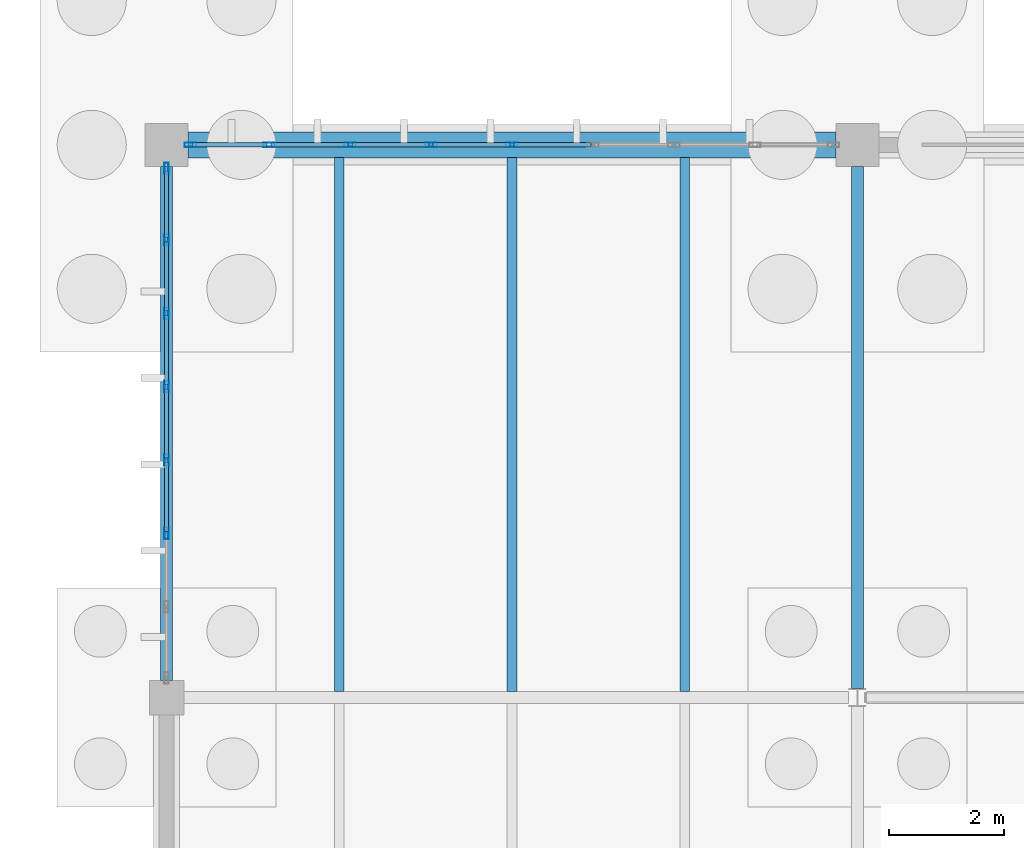
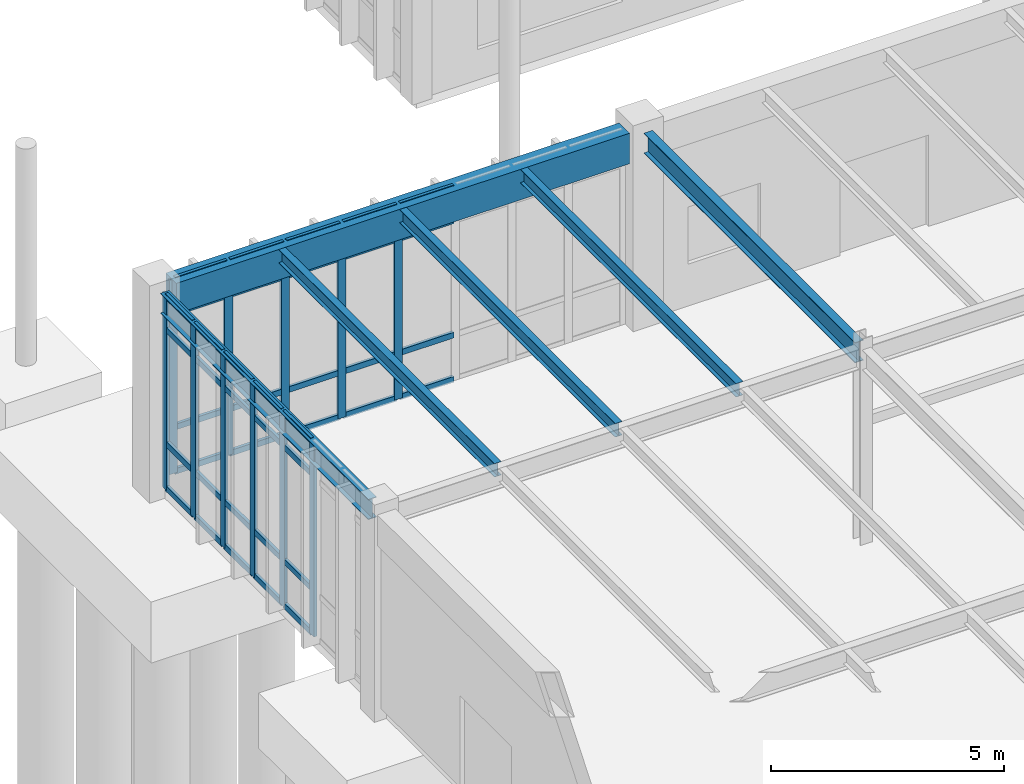
# One storey, part 72 of 188: 51 members, 6 beams, 2 elements without a shape of their own.
"""IFC4 building model written with IfcOpenShell, lengths in metres."""

from ifc_helpers import new_model, si_unit, direction, frame, origin, origin_2d, place, context, subcontext, project, spatial, rectangle, hollow_rectangle, i_section, extrude, material, layer, layer_set, material_profile, profile_set, type_object, element, aggregate, save


model = new_model("IFC4")

# Units and contexts
model_context = context("Model", 3, precision=1e-05, world=origin(), true_north=direction((0.0, 1.0)))
body_context = subcontext(model_context, "Body", "Model", "MODEL_VIEW")
ifc_project = project(units=[si_unit("LENGTHUNIT", "METRE"), si_unit("AREAUNIT", "SQUARE_METRE"), si_unit("VOLUMEUNIT", "CUBIC_METRE"), si_unit("PLANEANGLEUNIT", "RADIAN"), si_unit("MASSUNIT", "GRAM", prefix="KILO")], contexts=[model_context])

# Site, building, storey
site_placement = place(None, origin())
site = spatial("IfcSite", under=ifc_project, at=site_placement, CompositionType="ELEMENT")
building_placement = place(site_placement, origin())
building = spatial("IfcBuilding", under=site, at=building_placement, Name="Pandanus Reach Market Hall", CompositionType="ELEMENT")
storey_placement = place(building_placement, origin())
storey = spatial("IfcBuildingStorey", under=building, at=storey_placement, Name="L00", CompositionType="ELEMENT", Elevation=0.0)

# Beams
ifc_material_1 = material(Name="Concrete N40 (40 MPa)", Category="concrete")
ifc_material_profile_1 = material_profile(ifc_material_1, rectangle(XDim=0.449951171875, YDim=0.800048828125, at=origin_2d()), Name="RC450x800", Category="LoadBearing")
ifc_profile_set_1 = profile_set([ifc_material_profile_1], Name="Concrete N40 (40 MPa)")
beam_type_1 = type_object("IfcBeamType", Name="BM-RC450-E", PredefinedType="SPANDREL", material=ifc_profile_set_1)
beam_1_placement = place(storey_placement, frame((48.373046875, 86.39990234375, 4.719970703125), z_axis=(1.0, 0.0, 0.0), x_axis=(0.0, 1.0, 0.0)))
element("IfcBeam", 1, at=beam_1_placement, inside=storey, type_object=beam_type_1, Name="Framing beam BM-RC450-E L00.1059", PredefinedType="SPANDREL", context=body_context, shape_type="SweptSolid", body=[
    extrude(rectangle(XDim=0.449951171875, YDim=0.800048828125, at=origin_2d()), origin(), (0.0, 0.0, 1.0), 11.25390625),
])
ifc_material_2 = material(Name="Steel Grade 350 (350 MPa)", Category="steel")
ifc_material_profile_2 = material_profile(ifc_material_2, i_section(OverallWidth=0.208984375, OverallDepth=0.532958984375, WebThickness=0.01025390625, FlangeThickness=0.015625, at=origin_2d()), Name="530UB92.4", Category="LoadBearing")
ifc_profile_set_2 = profile_set([ifc_material_profile_2], Name="Steel Grade 350 (350 MPa)")
beam_type_2 = type_object("IfcBeamType", Name="BM-UB530-I", PredefinedType="BEAM", material=ifc_profile_set_2)
beam_2_placement = place(storey_placement, frame((48.0, 77.097900390625, 4.85302734375), z_axis=(0.0, 1.0, 0.0), x_axis=(-1.0, 0.0, 0.0)))
element("IfcBeam", 2, at=beam_2_placement, inside=storey, type_object=beam_type_2, Name="Framing beam BM-UB530-I L00.1067", PredefinedType="BEAM", context=body_context, shape_type="SweptSolid", body=[
    extrude(i_section(OverallWidth=0.208984375, OverallDepth=0.532958984375, WebThickness=0.01025390625, FlangeThickness=0.015625, at=origin_2d()), origin(), (0.0, 0.0, 1.0), 8.92919921875),
])
beam_3_placement = place(storey_placement, frame((60.0, 76.95556640625, 4.85302734375), z_axis=(0.0, 1.0, 0.0), x_axis=(-1.0, 0.0, 0.0)))
element("IfcBeam", 3, at=beam_3_placement, inside=storey, type_object=beam_type_2, Name="Framing beam BM-UB530-I L00.1069", PredefinedType="BEAM", context=body_context, shape_type="SweptSolid", body=[
    extrude(i_section(OverallWidth=0.208984375, OverallDepth=0.532958984375, WebThickness=0.01025390625, FlangeThickness=0.015625, at=origin_2d()), origin(), (0.0, 0.0, 1.0), 9.071533203125),
])

# Curtain wall, members
ifc_material_3 = material(Name="Bronze anodised aluminium and low-E glass", Category="aluminium")
ifc_layer_1 = layer(ifc_material_3, 0.199951171875, Name="CW-01")
ifc_layer_set_1 = layer_set([ifc_layer_1], Name="Bronze anodised aluminium and low-E glass")
curtain_wall_type_1 = type_object("IfcCurtainWallType", Name="CW-01", PredefinedType="NOTDEFINED", material=ifc_layer_set_1)
curtain_wall_1_placement = place(storey_placement, origin())
curtain_wall_1 = element("IfcCurtainWall", 4, at=curtain_wall_1_placement, inside=storey, type_object=curtain_wall_type_1, Name="Glazed curtain wall CW-01 CW-0009", PredefinedType="NOTDEFINED")
ifc_material_4 = material(Name="Bronze anodised aluminium", Category="aluminium")
ifc_material_profile_3 = material_profile(ifc_material_4, hollow_rectangle(XDim=0.074951171875, YDim=0.199951171875, WallThickness=0.00439453125, at=origin_2d()), Name="ALU75x200", Category="LoadBearing")
ifc_profile_set_3 = profile_set([ifc_material_profile_3], Name="Bronze anodised aluminium")
member_type_1 = type_object("IfcMemberType", Name="CW-M2", PredefinedType="MULLION", material=ifc_profile_set_3)
member_1_placement = place(storey_placement, frame((48.41259765625, 86.39990234375, 0.0), z_axis=(0.0, 0.0, 1.0), x_axis=(0.0, 1.0, 0.0)))
member_1 = element("IfcMember", 5, at=member_1_placement, type_object=member_type_1, Name="CW-01 mullion 1", PredefinedType="MULLION", context=body_context, shape_type="SweptSolid", body=[
    extrude(hollow_rectangle(XDim=0.074951171875, YDim=0.199951171875, WallThickness=0.00439453125, at=origin_2d()), origin(), (0.0, 0.0, 1.0), 5.10009765625),
])
member_2_placement = place(storey_placement, frame((49.78125, 86.39990234375, 0.0), z_axis=(0.0, 0.0, 1.0), x_axis=(0.0, 1.0, 0.0)))
member_2 = element("IfcMember", 6, at=member_2_placement, type_object=member_type_1, Name="CW-01 mullion 2", PredefinedType="MULLION", context=body_context, shape_type="SweptSolid", body=[
    extrude(hollow_rectangle(XDim=0.074951171875, YDim=0.199951171875, WallThickness=0.00439453125, at=origin_2d()), origin(), (0.0, 0.0, 1.0), 5.10009765625),
])
member_3_placement = place(storey_placement, frame((51.1875, 86.39990234375, 0.0), z_axis=(0.0, 0.0, 1.0), x_axis=(0.0, 1.0, 0.0)))
member_3 = element("IfcMember", 7, at=member_3_placement, type_object=member_type_1, Name="CW-01 mullion 3", PredefinedType="MULLION", context=body_context, shape_type="SweptSolid", body=[
    extrude(hollow_rectangle(XDim=0.074951171875, YDim=0.199951171875, WallThickness=0.00439453125, at=origin_2d()), origin(), (0.0, 0.0, 1.0), 5.10009765625),
])
member_4_placement = place(storey_placement, frame((52.59375, 86.39990234375, 0.0), z_axis=(0.0, 0.0, 1.0), x_axis=(0.0, 1.0, 0.0)))
member_4 = element("IfcMember", 8, at=member_4_placement, type_object=member_type_1, Name="CW-01 mullion 4", PredefinedType="MULLION", context=body_context, shape_type="SweptSolid", body=[
    extrude(hollow_rectangle(XDim=0.074951171875, YDim=0.199951171875, WallThickness=0.00439453125, at=origin_2d()), origin(), (0.0, 0.0, 1.0), 5.10009765625),
])
member_5_placement = place(storey_placement, frame((54.0, 86.39990234375, 0.0), z_axis=(0.0, 0.0, 1.0), x_axis=(0.0, 1.0, 0.0)))
member_5 = element("IfcMember", 9, at=member_5_placement, type_object=member_type_1, Name="CW-01 mullion 5", PredefinedType="MULLION", context=body_context, shape_type="SweptSolid", body=[
    extrude(hollow_rectangle(XDim=0.074951171875, YDim=0.199951171875, WallThickness=0.00439453125, at=origin_2d()), origin(), (0.0, 0.0, 1.0), 5.10009765625),
])

ifc_layer_2 = layer(ifc_material_3, 0.199951171875, Name="CW-03")
ifc_layer_set_2 = layer_set([ifc_layer_2], Name="Bronze anodised aluminium and low-E glass")
curtain_wall_type_2 = type_object("IfcCurtainWallType", Name="CW-03", PredefinedType="NOTDEFINED", material=ifc_layer_set_2)
curtain_wall_2_placement = place(storey_placement, origin())
curtain_wall_2 = element("IfcCurtainWall", 10, at=curtain_wall_2_placement, inside=storey, type_object=curtain_wall_type_2, Name="Glazed curtain wall CW-03 CW-0034", PredefinedType="NOTDEFINED")
member_6_placement = place(storey_placement, frame((48.0, 79.64990234375, 0.0), z_axis=(0.0, 0.0, 1.0), x_axis=(-1.0, 0.0, 0.0)))
member_6 = element("IfcMember", 11, at=member_6_placement, type_object=member_type_1, Name="CW-03 mullion 3", PredefinedType="MULLION", context=body_context, shape_type="SweptSolid", body=[
    extrude(hollow_rectangle(XDim=0.074951171875, YDim=0.199951171875, WallThickness=0.00439453125, at=origin_2d()), origin(), (0.0, 0.0, 1.0), 5.10009765625),
])
member_7_placement = place(storey_placement, frame((48.0, 80.925048828125, 0.0), z_axis=(0.0, 0.0, 1.0), x_axis=(-1.0, 0.0, 0.0)))
member_7 = element("IfcMember", 12, at=member_7_placement, type_object=member_type_1, Name="CW-03 mullion 4", PredefinedType="MULLION", context=body_context, shape_type="SweptSolid", body=[
    extrude(hollow_rectangle(XDim=0.074951171875, YDim=0.199951171875, WallThickness=0.00439453125, at=origin_2d()), origin(), (0.0, 0.0, 1.0), 5.10009765625),
])
member_8_placement = place(storey_placement, frame((48.0, 82.199951171875, 0.0), z_axis=(0.0, 0.0, 1.0), x_axis=(-1.0, 0.0, 0.0)))
member_8 = element("IfcMember", 13, at=member_8_placement, type_object=member_type_1, Name="CW-03 mullion 5", PredefinedType="MULLION", context=body_context, shape_type="SweptSolid", body=[
    extrude(hollow_rectangle(XDim=0.074951171875, YDim=0.199951171875, WallThickness=0.00439453125, at=origin_2d()), origin(), (0.0, 0.0, 1.0), 5.10009765625),
])
member_9_placement = place(storey_placement, frame((48.0, 83.47509765625, 0.0), z_axis=(0.0, 0.0, 1.0), x_axis=(-1.0, 0.0, 0.0)))
member_9 = element("IfcMember", 14, at=member_9_placement, type_object=member_type_1, Name="CW-03 mullion 6", PredefinedType="MULLION", context=body_context, shape_type="SweptSolid", body=[
    extrude(hollow_rectangle(XDim=0.074951171875, YDim=0.199951171875, WallThickness=0.00439453125, at=origin_2d()), origin(), (0.0, 0.0, 1.0), 5.10009765625),
])
member_10_placement = place(storey_placement, frame((48.0, 84.75, 0.0), z_axis=(0.0, 0.0, 1.0), x_axis=(-1.0, 0.0, 0.0)))
member_10 = element("IfcMember", 15, at=member_10_placement, type_object=member_type_1, Name="CW-03 mullion 7", PredefinedType="MULLION", context=body_context, shape_type="SweptSolid", body=[
    extrude(hollow_rectangle(XDim=0.074951171875, YDim=0.199951171875, WallThickness=0.00439453125, at=origin_2d()), origin(), (0.0, 0.0, 1.0), 5.10009765625),
])
member_11_placement = place(storey_placement, frame((48.0, 85.987548828125, 0.0), z_axis=(0.0, 0.0, 1.0), x_axis=(-1.0, 0.0, 0.0)))
member_11 = element("IfcMember", 16, at=member_11_placement, type_object=member_type_1, Name="CW-03 mullion 8", PredefinedType="MULLION", context=body_context, shape_type="SweptSolid", body=[
    extrude(hollow_rectangle(XDim=0.074951171875, YDim=0.199951171875, WallThickness=0.00439453125, at=origin_2d()), origin(), (0.0, 0.0, 1.0), 5.10009765625),
])

# Member
ifc_material_profile_4 = material_profile(ifc_material_4, hollow_rectangle(XDim=0.074951171875, YDim=0.14990234375, WallThickness=0.00439453125, at=origin_2d()), Name="ALU75x150", Category="LoadBearing")
ifc_profile_set_4 = profile_set([ifc_material_profile_4], Name="Bronze anodised aluminium")
member_type_2 = type_object("IfcMemberType", Name="CW-T2", PredefinedType="USERDEFINED", material=ifc_profile_set_4)
member_12_placement = place(storey_placement, frame((48.449951171875, 86.39990234375, 0.03759765625), z_axis=(1.0, 0.0, 0.0), x_axis=(0.0, 1.0, 0.0)))
member_12 = element("IfcMember", 17, at=member_12_placement, type_object=member_type_2, Name="CW-01 transom 1.1", ObjectType="TRANSOM", PredefinedType="USERDEFINED", context=body_context, shape_type="SweptSolid", body=[
    extrude(hollow_rectangle(XDim=0.074951171875, YDim=0.14990234375, WallThickness=0.00439453125, at=origin_2d()), origin(), (0.0, 0.0, 1.0), 1.293701171875),
])

member_13_placement = place(storey_placement, frame((48.449951171875, 86.39990234375, 1.199951171875), z_axis=(1.0, 0.0, 0.0), x_axis=(0.0, 1.0, 0.0)))
member_13 = element("IfcMember", 18, at=member_13_placement, type_object=member_type_2, Name="CW-01 transom 1.2", ObjectType="TRANSOM", PredefinedType="USERDEFINED", context=body_context, shape_type="SweptSolid", body=[
    extrude(hollow_rectangle(XDim=0.074951171875, YDim=0.14990234375, WallThickness=0.00439453125, at=origin_2d()), origin(), (0.0, 0.0, 1.0), 1.293701171875),
])

member_14_placement = place(storey_placement, frame((48.449951171875, 86.39990234375, 4.199951171875), z_axis=(1.0, 0.0, 0.0), x_axis=(0.0, 1.0, 0.0)))
member_14 = element("IfcMember", 19, at=member_14_placement, type_object=member_type_2, Name="CW-01 transom 1.3", ObjectType="TRANSOM", PredefinedType="USERDEFINED", context=body_context, shape_type="SweptSolid", body=[
    extrude(hollow_rectangle(XDim=0.074951171875, YDim=0.14990234375, WallThickness=0.00439453125, at=origin_2d()), origin(), (0.0, 0.0, 1.0), 1.293701171875),
])

member_15_placement = place(storey_placement, frame((48.449951171875, 86.39990234375, 5.0625), z_axis=(1.0, 0.0, 0.0), x_axis=(0.0, 1.0, 0.0)))
member_15 = element("IfcMember", 20, at=member_15_placement, type_object=member_type_2, Name="CW-01 transom 1.4", ObjectType="TRANSOM", PredefinedType="USERDEFINED", context=body_context, shape_type="SweptSolid", body=[
    extrude(hollow_rectangle(XDim=0.074951171875, YDim=0.14990234375, WallThickness=0.00439453125, at=origin_2d()), origin(), (0.0, 0.0, 1.0), 1.293701171875),
])

member_16_placement = place(storey_placement, frame((49.81884765625, 86.39990234375, 0.03759765625), z_axis=(1.0, 0.0, 0.0), x_axis=(0.0, 1.0, 0.0)))
member_16 = element("IfcMember", 21, at=member_16_placement, type_object=member_type_2, Name="CW-01 transom 2.1", ObjectType="TRANSOM", PredefinedType="USERDEFINED", context=body_context, shape_type="SweptSolid", body=[
    extrude(hollow_rectangle(XDim=0.074951171875, YDim=0.14990234375, WallThickness=0.00439453125, at=origin_2d()), origin(), (0.0, 0.0, 1.0), 1.3310546875),
])

member_17_placement = place(storey_placement, frame((49.81884765625, 86.39990234375, 1.199951171875), z_axis=(1.0, 0.0, 0.0), x_axis=(0.0, 1.0, 0.0)))
member_17 = element("IfcMember", 22, at=member_17_placement, type_object=member_type_2, Name="CW-01 transom 2.2", ObjectType="TRANSOM", PredefinedType="USERDEFINED", context=body_context, shape_type="SweptSolid", body=[
    extrude(hollow_rectangle(XDim=0.074951171875, YDim=0.14990234375, WallThickness=0.00439453125, at=origin_2d()), origin(), (0.0, 0.0, 1.0), 1.3310546875),
])

member_18_placement = place(storey_placement, frame((49.81884765625, 86.39990234375, 4.199951171875), z_axis=(1.0, 0.0, 0.0), x_axis=(0.0, 1.0, 0.0)))
member_18 = element("IfcMember", 23, at=member_18_placement, type_object=member_type_2, Name="CW-01 transom 2.3", ObjectType="TRANSOM", PredefinedType="USERDEFINED", context=body_context, shape_type="SweptSolid", body=[
    extrude(hollow_rectangle(XDim=0.074951171875, YDim=0.14990234375, WallThickness=0.00439453125, at=origin_2d()), origin(), (0.0, 0.0, 1.0), 1.3310546875),
])

member_19_placement = place(storey_placement, frame((49.81884765625, 86.39990234375, 5.0625), z_axis=(1.0, 0.0, 0.0), x_axis=(0.0, 1.0, 0.0)))
member_19 = element("IfcMember", 24, at=member_19_placement, type_object=member_type_2, Name="CW-01 transom 2.4", ObjectType="TRANSOM", PredefinedType="USERDEFINED", context=body_context, shape_type="SweptSolid", body=[
    extrude(hollow_rectangle(XDim=0.074951171875, YDim=0.14990234375, WallThickness=0.00439453125, at=origin_2d()), origin(), (0.0, 0.0, 1.0), 1.3310546875),
])

member_20_placement = place(storey_placement, frame((51.22509765625, 86.39990234375, 0.03759765625), z_axis=(1.0, 0.0, 0.0), x_axis=(0.0, 1.0, 0.0)))
member_20 = element("IfcMember", 25, at=member_20_placement, type_object=member_type_2, Name="CW-01 transom 3.1", ObjectType="TRANSOM", PredefinedType="USERDEFINED", context=body_context, shape_type="SweptSolid", body=[
    extrude(hollow_rectangle(XDim=0.074951171875, YDim=0.14990234375, WallThickness=0.00439453125, at=origin_2d()), origin(), (0.0, 0.0, 1.0), 1.3310546875),
])

member_21_placement = place(storey_placement, frame((51.22509765625, 86.39990234375, 1.199951171875), z_axis=(1.0, 0.0, 0.0), x_axis=(0.0, 1.0, 0.0)))
member_21 = element("IfcMember", 26, at=member_21_placement, type_object=member_type_2, Name="CW-01 transom 3.2", ObjectType="TRANSOM", PredefinedType="USERDEFINED", context=body_context, shape_type="SweptSolid", body=[
    extrude(hollow_rectangle(XDim=0.074951171875, YDim=0.14990234375, WallThickness=0.00439453125, at=origin_2d()), origin(), (0.0, 0.0, 1.0), 1.3310546875),
])

member_22_placement = place(storey_placement, frame((51.22509765625, 86.39990234375, 4.199951171875), z_axis=(1.0, 0.0, 0.0), x_axis=(0.0, 1.0, 0.0)))
member_22 = element("IfcMember", 27, at=member_22_placement, type_object=member_type_2, Name="CW-01 transom 3.3", ObjectType="TRANSOM", PredefinedType="USERDEFINED", context=body_context, shape_type="SweptSolid", body=[
    extrude(hollow_rectangle(XDim=0.074951171875, YDim=0.14990234375, WallThickness=0.00439453125, at=origin_2d()), origin(), (0.0, 0.0, 1.0), 1.3310546875),
])

member_23_placement = place(storey_placement, frame((51.22509765625, 86.39990234375, 5.0625), z_axis=(1.0, 0.0, 0.0), x_axis=(0.0, 1.0, 0.0)))
member_23 = element("IfcMember", 28, at=member_23_placement, type_object=member_type_2, Name="CW-01 transom 3.4", ObjectType="TRANSOM", PredefinedType="USERDEFINED", context=body_context, shape_type="SweptSolid", body=[
    extrude(hollow_rectangle(XDim=0.074951171875, YDim=0.14990234375, WallThickness=0.00439453125, at=origin_2d()), origin(), (0.0, 0.0, 1.0), 1.3310546875),
])

member_24_placement = place(storey_placement, frame((52.63134765625, 86.39990234375, 0.03759765625), z_axis=(1.0, 0.0, 0.0), x_axis=(0.0, 1.0, 0.0)))
member_24 = element("IfcMember", 29, at=member_24_placement, type_object=member_type_2, Name="CW-01 transom 4.1", ObjectType="TRANSOM", PredefinedType="USERDEFINED", context=body_context, shape_type="SweptSolid", body=[
    extrude(hollow_rectangle(XDim=0.074951171875, YDim=0.14990234375, WallThickness=0.00439453125, at=origin_2d()), origin(), (0.0, 0.0, 1.0), 1.3310546875),
])

member_25_placement = place(storey_placement, frame((52.63134765625, 86.39990234375, 1.199951171875), z_axis=(1.0, 0.0, 0.0), x_axis=(0.0, 1.0, 0.0)))
member_25 = element("IfcMember", 30, at=member_25_placement, type_object=member_type_2, Name="CW-01 transom 4.2", ObjectType="TRANSOM", PredefinedType="USERDEFINED", context=body_context, shape_type="SweptSolid", body=[
    extrude(hollow_rectangle(XDim=0.074951171875, YDim=0.14990234375, WallThickness=0.00439453125, at=origin_2d()), origin(), (0.0, 0.0, 1.0), 1.3310546875),
])

member_26_placement = place(storey_placement, frame((52.63134765625, 86.39990234375, 4.199951171875), z_axis=(1.0, 0.0, 0.0), x_axis=(0.0, 1.0, 0.0)))
member_26 = element("IfcMember", 31, at=member_26_placement, type_object=member_type_2, Name="CW-01 transom 4.3", ObjectType="TRANSOM", PredefinedType="USERDEFINED", context=body_context, shape_type="SweptSolid", body=[
    extrude(hollow_rectangle(XDim=0.074951171875, YDim=0.14990234375, WallThickness=0.00439453125, at=origin_2d()), origin(), (0.0, 0.0, 1.0), 1.3310546875),
])

member_27_placement = place(storey_placement, frame((52.63134765625, 86.39990234375, 5.0625), z_axis=(1.0, 0.0, 0.0), x_axis=(0.0, 1.0, 0.0)))
member_27 = element("IfcMember", 32, at=member_27_placement, type_object=member_type_2, Name="CW-01 transom 4.4", ObjectType="TRANSOM", PredefinedType="USERDEFINED", context=body_context, shape_type="SweptSolid", body=[
    extrude(hollow_rectangle(XDim=0.074951171875, YDim=0.14990234375, WallThickness=0.00439453125, at=origin_2d()), origin(), (0.0, 0.0, 1.0), 1.3310546875),
])

member_28_placement = place(storey_placement, frame((54.03759765625, 86.39990234375, 0.03759765625), z_axis=(1.0, 0.0, 0.0), x_axis=(0.0, 1.0, 0.0)))
member_28 = element("IfcMember", 33, at=member_28_placement, type_object=member_type_2, Name="CW-01 transom 5.1", ObjectType="TRANSOM", PredefinedType="USERDEFINED", context=body_context, shape_type="SweptSolid", body=[
    extrude(hollow_rectangle(XDim=0.074951171875, YDim=0.14990234375, WallThickness=0.00439453125, at=origin_2d()), origin(), (0.0, 0.0, 1.0), 1.3310546875),
])

member_29_placement = place(storey_placement, frame((54.03759765625, 86.39990234375, 1.199951171875), z_axis=(1.0, 0.0, 0.0), x_axis=(0.0, 1.0, 0.0)))
member_29 = element("IfcMember", 34, at=member_29_placement, type_object=member_type_2, Name="CW-01 transom 5.2", ObjectType="TRANSOM", PredefinedType="USERDEFINED", context=body_context, shape_type="SweptSolid", body=[
    extrude(hollow_rectangle(XDim=0.074951171875, YDim=0.14990234375, WallThickness=0.00439453125, at=origin_2d()), origin(), (0.0, 0.0, 1.0), 1.3310546875),
])

member_30_placement = place(storey_placement, frame((54.03759765625, 86.39990234375, 4.199951171875), z_axis=(1.0, 0.0, 0.0), x_axis=(0.0, 1.0, 0.0)))
member_30 = element("IfcMember", 35, at=member_30_placement, type_object=member_type_2, Name="CW-01 transom 5.3", ObjectType="TRANSOM", PredefinedType="USERDEFINED", context=body_context, shape_type="SweptSolid", body=[
    extrude(hollow_rectangle(XDim=0.074951171875, YDim=0.14990234375, WallThickness=0.00439453125, at=origin_2d()), origin(), (0.0, 0.0, 1.0), 1.3310546875),
])

member_31_placement = place(storey_placement, frame((54.03759765625, 86.39990234375, 5.0625), z_axis=(1.0, 0.0, 0.0), x_axis=(0.0, 1.0, 0.0)))
member_31 = element("IfcMember", 36, at=member_31_placement, type_object=member_type_2, Name="CW-01 transom 5.4", ObjectType="TRANSOM", PredefinedType="USERDEFINED", context=body_context, shape_type="SweptSolid", body=[
    extrude(hollow_rectangle(XDim=0.074951171875, YDim=0.14990234375, WallThickness=0.00439453125, at=origin_2d()), origin(), (0.0, 0.0, 1.0), 1.3310546875),
])

aggregate(curtain_wall_1, [member_1, member_2, member_3, member_4, member_5, member_12, member_13, member_14, member_15, member_16, member_17, member_18, member_19, member_20, member_21, member_22, member_23, member_24, member_25, member_26, member_27, member_28, member_29, member_30, member_31])

member_32_placement = place(storey_placement, frame((48.0, 79.6875, 0.03759765625), z_axis=(0.0, 1.0, 0.0), x_axis=(-1.0, 0.0, 0.0)))
member_32 = element("IfcMember", 37, at=member_32_placement, type_object=member_type_2, Name="CW-03 transom 3.1", ObjectType="TRANSOM", PredefinedType="USERDEFINED", context=body_context, shape_type="SweptSolid", body=[
    extrude(hollow_rectangle(XDim=0.074951171875, YDim=0.14990234375, WallThickness=0.00439453125, at=origin_2d()), origin(), (0.0, 0.0, 1.0), 1.199951171875),
])

member_33_placement = place(storey_placement, frame((48.0, 79.6875, 1.199951171875), z_axis=(0.0, 1.0, 0.0), x_axis=(-1.0, 0.0, 0.0)))
member_33 = element("IfcMember", 38, at=member_33_placement, type_object=member_type_2, Name="CW-03 transom 3.2", ObjectType="TRANSOM", PredefinedType="USERDEFINED", context=body_context, shape_type="SweptSolid", body=[
    extrude(hollow_rectangle(XDim=0.074951171875, YDim=0.14990234375, WallThickness=0.00439453125, at=origin_2d()), origin(), (0.0, 0.0, 1.0), 1.199951171875),
])

member_34_placement = place(storey_placement, frame((48.0, 79.6875, 4.199951171875), z_axis=(0.0, 1.0, 0.0), x_axis=(-1.0, 0.0, 0.0)))
member_34 = element("IfcMember", 39, at=member_34_placement, type_object=member_type_2, Name="CW-03 transom 3.3", ObjectType="TRANSOM", PredefinedType="USERDEFINED", context=body_context, shape_type="SweptSolid", body=[
    extrude(hollow_rectangle(XDim=0.074951171875, YDim=0.14990234375, WallThickness=0.00439453125, at=origin_2d()), origin(), (0.0, 0.0, 1.0), 1.199951171875),
])

member_35_placement = place(storey_placement, frame((48.0, 79.6875, 5.0625), z_axis=(0.0, 1.0, 0.0), x_axis=(-1.0, 0.0, 0.0)))
member_35 = element("IfcMember", 40, at=member_35_placement, type_object=member_type_2, Name="CW-03 transom 3.4", ObjectType="TRANSOM", PredefinedType="USERDEFINED", context=body_context, shape_type="SweptSolid", body=[
    extrude(hollow_rectangle(XDim=0.074951171875, YDim=0.14990234375, WallThickness=0.00439453125, at=origin_2d()), origin(), (0.0, 0.0, 1.0), 1.199951171875),
])

member_36_placement = place(storey_placement, frame((48.0, 80.96240234375, 0.03759765625), z_axis=(0.0, 1.0, 0.0), x_axis=(-1.0, 0.0, 0.0)))
member_36 = element("IfcMember", 41, at=member_36_placement, type_object=member_type_2, Name="CW-03 transom 4.1", ObjectType="TRANSOM", PredefinedType="USERDEFINED", context=body_context, shape_type="SweptSolid", body=[
    extrude(hollow_rectangle(XDim=0.074951171875, YDim=0.14990234375, WallThickness=0.00439453125, at=origin_2d()), origin(), (0.0, 0.0, 1.0), 1.2001953125),
])

member_37_placement = place(storey_placement, frame((48.0, 80.96240234375, 1.199951171875), z_axis=(0.0, 1.0, 0.0), x_axis=(-1.0, 0.0, 0.0)))
member_37 = element("IfcMember", 42, at=member_37_placement, type_object=member_type_2, Name="CW-03 transom 4.2", ObjectType="TRANSOM", PredefinedType="USERDEFINED", context=body_context, shape_type="SweptSolid", body=[
    extrude(hollow_rectangle(XDim=0.074951171875, YDim=0.14990234375, WallThickness=0.00439453125, at=origin_2d()), origin(), (0.0, 0.0, 1.0), 1.2001953125),
])

member_38_placement = place(storey_placement, frame((48.0, 80.96240234375, 4.199951171875), z_axis=(0.0, 1.0, 0.0), x_axis=(-1.0, 0.0, 0.0)))
member_38 = element("IfcMember", 43, at=member_38_placement, type_object=member_type_2, Name="CW-03 transom 4.3", ObjectType="TRANSOM", PredefinedType="USERDEFINED", context=body_context, shape_type="SweptSolid", body=[
    extrude(hollow_rectangle(XDim=0.074951171875, YDim=0.14990234375, WallThickness=0.00439453125, at=origin_2d()), origin(), (0.0, 0.0, 1.0), 1.2001953125),
])

member_39_placement = place(storey_placement, frame((48.0, 80.96240234375, 5.0625), z_axis=(0.0, 1.0, 0.0), x_axis=(-1.0, 0.0, 0.0)))
member_39 = element("IfcMember", 44, at=member_39_placement, type_object=member_type_2, Name="CW-03 transom 4.4", ObjectType="TRANSOM", PredefinedType="USERDEFINED", context=body_context, shape_type="SweptSolid", body=[
    extrude(hollow_rectangle(XDim=0.074951171875, YDim=0.14990234375, WallThickness=0.00439453125, at=origin_2d()), origin(), (0.0, 0.0, 1.0), 1.2001953125),
])

member_40_placement = place(storey_placement, frame((48.0, 82.237548828125, 0.03759765625), z_axis=(0.0, 1.0, 0.0), x_axis=(-1.0, 0.0, 0.0)))
member_40 = element("IfcMember", 45, at=member_40_placement, type_object=member_type_2, Name="CW-03 transom 5.1", ObjectType="TRANSOM", PredefinedType="USERDEFINED", context=body_context, shape_type="SweptSolid", body=[
    extrude(hollow_rectangle(XDim=0.074951171875, YDim=0.14990234375, WallThickness=0.00439453125, at=origin_2d()), origin(), (0.0, 0.0, 1.0), 1.199951171875),
])

member_41_placement = place(storey_placement, frame((48.0, 82.237548828125, 1.199951171875), z_axis=(0.0, 1.0, 0.0), x_axis=(-1.0, 0.0, 0.0)))
member_41 = element("IfcMember", 46, at=member_41_placement, type_object=member_type_2, Name="CW-03 transom 5.2", ObjectType="TRANSOM", PredefinedType="USERDEFINED", context=body_context, shape_type="SweptSolid", body=[
    extrude(hollow_rectangle(XDim=0.074951171875, YDim=0.14990234375, WallThickness=0.00439453125, at=origin_2d()), origin(), (0.0, 0.0, 1.0), 1.199951171875),
])

member_42_placement = place(storey_placement, frame((48.0, 82.237548828125, 4.199951171875), z_axis=(0.0, 1.0, 0.0), x_axis=(-1.0, 0.0, 0.0)))
member_42 = element("IfcMember", 47, at=member_42_placement, type_object=member_type_2, Name="CW-03 transom 5.3", ObjectType="TRANSOM", PredefinedType="USERDEFINED", context=body_context, shape_type="SweptSolid", body=[
    extrude(hollow_rectangle(XDim=0.074951171875, YDim=0.14990234375, WallThickness=0.00439453125, at=origin_2d()), origin(), (0.0, 0.0, 1.0), 1.199951171875),
])

member_43_placement = place(storey_placement, frame((48.0, 82.237548828125, 5.0625), z_axis=(0.0, 1.0, 0.0), x_axis=(-1.0, 0.0, 0.0)))
member_43 = element("IfcMember", 48, at=member_43_placement, type_object=member_type_2, Name="CW-03 transom 5.4", ObjectType="TRANSOM", PredefinedType="USERDEFINED", context=body_context, shape_type="SweptSolid", body=[
    extrude(hollow_rectangle(XDim=0.074951171875, YDim=0.14990234375, WallThickness=0.00439453125, at=origin_2d()), origin(), (0.0, 0.0, 1.0), 1.199951171875),
])

member_44_placement = place(storey_placement, frame((48.0, 83.512451171875, 0.03759765625), z_axis=(0.0, 1.0, 0.0), x_axis=(-1.0, 0.0, 0.0)))
member_44 = element("IfcMember", 49, at=member_44_placement, type_object=member_type_2, Name="CW-03 transom 6.1", ObjectType="TRANSOM", PredefinedType="USERDEFINED", context=body_context, shape_type="SweptSolid", body=[
    extrude(hollow_rectangle(XDim=0.074951171875, YDim=0.14990234375, WallThickness=0.00439453125, at=origin_2d()), origin(), (0.0, 0.0, 1.0), 1.199951171875),
])

member_45_placement = place(storey_placement, frame((48.0, 83.512451171875, 1.199951171875), z_axis=(0.0, 1.0, 0.0), x_axis=(-1.0, 0.0, 0.0)))
member_45 = element("IfcMember", 50, at=member_45_placement, type_object=member_type_2, Name="CW-03 transom 6.2", ObjectType="TRANSOM", PredefinedType="USERDEFINED", context=body_context, shape_type="SweptSolid", body=[
    extrude(hollow_rectangle(XDim=0.074951171875, YDim=0.14990234375, WallThickness=0.00439453125, at=origin_2d()), origin(), (0.0, 0.0, 1.0), 1.199951171875),
])

member_46_placement = place(storey_placement, frame((48.0, 83.512451171875, 4.199951171875), z_axis=(0.0, 1.0, 0.0), x_axis=(-1.0, 0.0, 0.0)))
member_46 = element("IfcMember", 51, at=member_46_placement, type_object=member_type_2, Name="CW-03 transom 6.3", ObjectType="TRANSOM", PredefinedType="USERDEFINED", context=body_context, shape_type="SweptSolid", body=[
    extrude(hollow_rectangle(XDim=0.074951171875, YDim=0.14990234375, WallThickness=0.00439453125, at=origin_2d()), origin(), (0.0, 0.0, 1.0), 1.199951171875),
])

member_47_placement = place(storey_placement, frame((48.0, 83.512451171875, 5.0625), z_axis=(0.0, 1.0, 0.0), x_axis=(-1.0, 0.0, 0.0)))
member_47 = element("IfcMember", 52, at=member_47_placement, type_object=member_type_2, Name="CW-03 transom 6.4", ObjectType="TRANSOM", PredefinedType="USERDEFINED", context=body_context, shape_type="SweptSolid", body=[
    extrude(hollow_rectangle(XDim=0.074951171875, YDim=0.14990234375, WallThickness=0.00439453125, at=origin_2d()), origin(), (0.0, 0.0, 1.0), 1.199951171875),
])

member_48_placement = place(storey_placement, frame((48.0, 84.78759765625, 0.03759765625), z_axis=(0.0, 1.0, 0.0), x_axis=(-1.0, 0.0, 0.0)))
member_48 = element("IfcMember", 53, at=member_48_placement, type_object=member_type_2, Name="CW-03 transom 7.1", ObjectType="TRANSOM", PredefinedType="USERDEFINED", context=body_context, shape_type="SweptSolid", body=[
    extrude(hollow_rectangle(XDim=0.074951171875, YDim=0.14990234375, WallThickness=0.00439453125, at=origin_2d()), origin(), (0.0, 0.0, 1.0), 1.162353515625),
])

member_49_placement = place(storey_placement, frame((48.0, 84.78759765625, 1.199951171875), z_axis=(0.0, 1.0, 0.0), x_axis=(-1.0, 0.0, 0.0)))
member_49 = element("IfcMember", 54, at=member_49_placement, type_object=member_type_2, Name="CW-03 transom 7.2", ObjectType="TRANSOM", PredefinedType="USERDEFINED", context=body_context, shape_type="SweptSolid", body=[
    extrude(hollow_rectangle(XDim=0.074951171875, YDim=0.14990234375, WallThickness=0.00439453125, at=origin_2d()), origin(), (0.0, 0.0, 1.0), 1.162353515625),
])

member_50_placement = place(storey_placement, frame((48.0, 84.78759765625, 4.199951171875), z_axis=(0.0, 1.0, 0.0), x_axis=(-1.0, 0.0, 0.0)))
member_50 = element("IfcMember", 55, at=member_50_placement, type_object=member_type_2, Name="CW-03 transom 7.3", ObjectType="TRANSOM", PredefinedType="USERDEFINED", context=body_context, shape_type="SweptSolid", body=[
    extrude(hollow_rectangle(XDim=0.074951171875, YDim=0.14990234375, WallThickness=0.00439453125, at=origin_2d()), origin(), (0.0, 0.0, 1.0), 1.162353515625),
])

member_51_placement = place(storey_placement, frame((48.0, 84.78759765625, 5.0625), z_axis=(0.0, 1.0, 0.0), x_axis=(-1.0, 0.0, 0.0)))
member_51 = element("IfcMember", 56, at=member_51_placement, type_object=member_type_2, Name="CW-03 transom 7.4", ObjectType="TRANSOM", PredefinedType="USERDEFINED", context=body_context, shape_type="SweptSolid", body=[
    extrude(hollow_rectangle(XDim=0.074951171875, YDim=0.14990234375, WallThickness=0.00439453125, at=origin_2d()), origin(), (0.0, 0.0, 1.0), 1.162353515625),
])

aggregate(curtain_wall_2, [member_6, member_7, member_8, member_9, member_10, member_11, member_32, member_33, member_34, member_35, member_36, member_37, member_38, member_39, member_40, member_41, member_42, member_43, member_44, member_45, member_46, member_47, member_48, member_49, member_50, member_51])

# Beams
ifc_material_profile_5 = material_profile(ifc_material_2, i_section(OverallWidth=0.1708984375, OverallDepth=0.35595703125, WebThickness=0.00732421875, FlangeThickness=0.011474609375, at=origin_2d()), Name="360UB50.7", Category="LoadBearing")
ifc_profile_set_5 = profile_set([ifc_material_profile_5], Name="Steel Grade 350 (350 MPa)")
beam_type_3 = type_object("IfcBeamType", Name="JS-UB360-I", PredefinedType="JOIST", material=ifc_profile_set_5)
for number, where, z_axis, x_axis, name in (
    (57, (51.0, 76.902587890625, 4.941650390625), (0.0, 1.0, 0.0), (-1.0, 0.0, 0.0), "Secondary joist JS-UB360-I L00.1105"),
    (58, (54.0, 76.902587890625, 4.941650390625), (0.0, 1.0, 0.0), (-1.0, 0.0, 0.0), "Secondary joist JS-UB360-I L00.1106"),
    (59, (57.0, 76.902587890625, 4.941650390625), (0.0, 1.0, 0.0), (-1.0, 0.0, 0.0), "Secondary joist JS-UB360-I L00.1107"),
):
    element("IfcBeam", number, at=place(storey_placement, frame(where, z_axis=z_axis, x_axis=x_axis)), inside=storey, type_object=beam_type_3, Name=name, PredefinedType="JOIST", context=body_context, shape_type="SweptSolid", body=[
        extrude(i_section(OverallWidth=0.1708984375, OverallDepth=0.35595703125, WebThickness=0.00732421875, FlangeThickness=0.011474609375, at=origin_2d()), origin(), (0.0, 0.0, 1.0), 9.2744140625),
    ])

save(model, "model.ifc")
